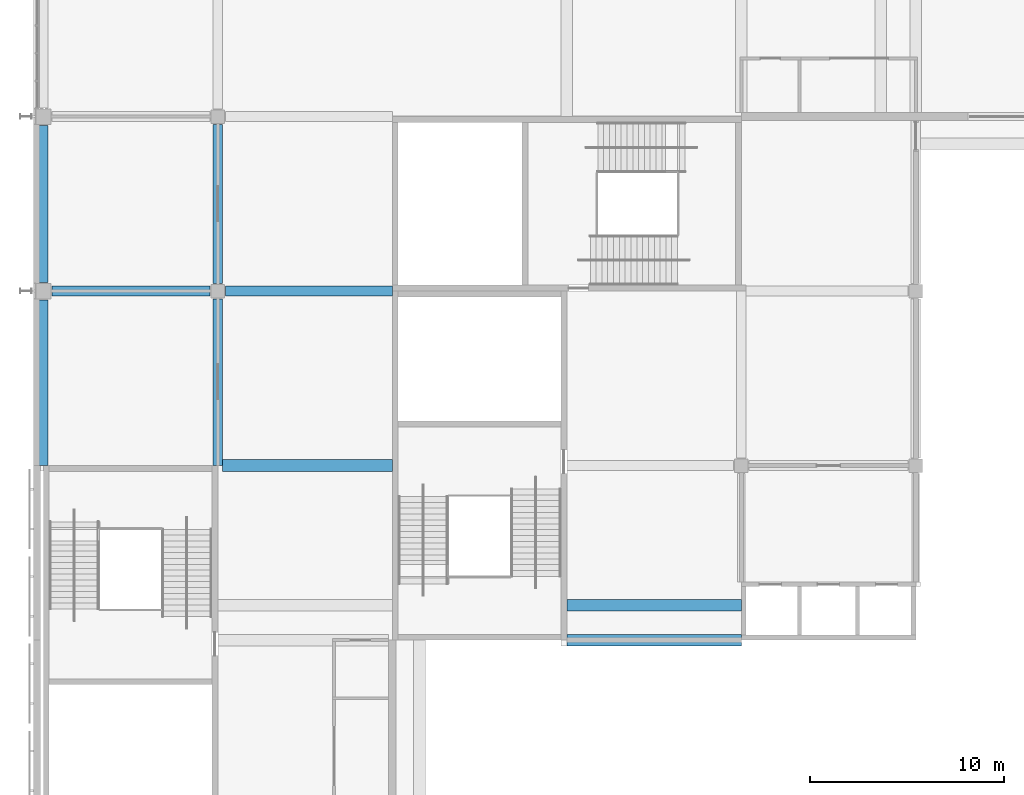
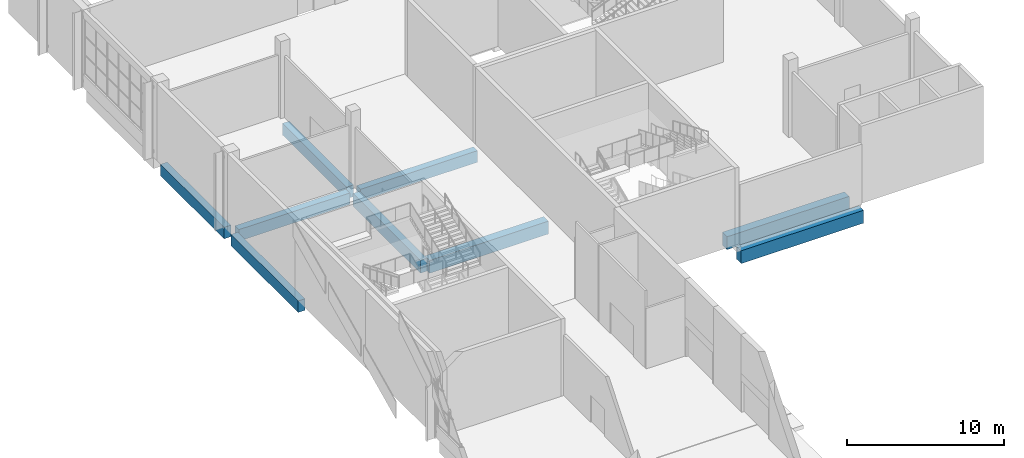
# One storey, part 16 of 89: 9 beams.
"""IFC4 building model written with IfcOpenShell, lengths in metres."""

from ifc_helpers import new_model, si_unit, direction, frame, origin, origin_2d, place, context, subcontext, project, spatial, rectangle, extrude, material, material_profile, profile_set, type_object, element, save


model = new_model("IFC4")

# Units and contexts
model_context = context("Model", 3, precision=1e-05, world=origin(), true_north=direction((0.0, 1.0)))
body_context = subcontext(model_context, "Body", "Model", "MODEL_VIEW")
ifc_project = project(units=[si_unit("LENGTHUNIT", "METRE"), si_unit("AREAUNIT", "SQUARE_METRE"), si_unit("VOLUMEUNIT", "CUBIC_METRE"), si_unit("PLANEANGLEUNIT", "RADIAN"), si_unit("MASSUNIT", "GRAM", prefix="KILO")], contexts=[model_context])

# Site, building, storey
site_placement = place(None, origin())
site = spatial("IfcSite", under=ifc_project, at=site_placement, CompositionType="ELEMENT")
building_placement = place(site_placement, origin())
building = spatial("IfcBuilding", under=site, at=building_placement, Name="Silverbay Arena", CompositionType="ELEMENT")
storey_placement = place(building_placement, frame((0.0, 0.0, 22.0)))
storey = spatial("IfcBuildingStorey", under=building, at=storey_placement, Name="L03", CompositionType="ELEMENT", Elevation=22.0)

# Beams
ifc_material_1 = material(Name="Concrete Grade C45", Category="concrete")
ifc_material_profile_1 = material_profile(ifc_material_1, rectangle(XDim=0.5, YDim=1.0, at=origin_2d()), Name="RC 500x1000")
ifc_profile_set_1 = profile_set([ifc_material_profile_1], Name="Concrete Grade C45")
beam_type_1 = type_object("IfcBeamType", Name="RC beam 500x1000", PredefinedType="BEAM", material=ifc_profile_set_1)
beam_1_placement = place(storey_placement, frame((63.0, 108.0, -0.85009765625), z_axis=(0.0, 1.0, 0.0), x_axis=(-1.0, 0.0, 0.0)))
element("IfcBeam", 1, at=beam_1_placement, inside=storey, type_object=beam_type_1, Name="Floor beam L03 096", PredefinedType="BEAM", context=body_context, shape_type="SweptSolid", body=[
    extrude(rectangle(XDim=0.5, YDim=1.0, at=origin_2d()), origin(), (0.0, 0.0, 1.0), 8.60009765625),
])
ifc_material_2 = material(Name="Concrete Grade C45", Category="concrete")
ifc_material_profile_2 = material_profile(ifc_material_2, rectangle(XDim=0.5, YDim=0.89990234375, at=origin_2d()), Name="RC 500x900")
ifc_profile_set_2 = profile_set([ifc_material_profile_2], Name="Concrete Grade C45")
beam_type_2 = type_object("IfcBeamType", Name="RC beam 500x900", PredefinedType="BEAM", material=ifc_profile_set_2)
beam_2_placement = place(storey_placement, frame((54.449951171875, 117.0, -0.800048828125), z_axis=(1.0, 0.0, 0.0), x_axis=(0.0, 1.0, 0.0)))
element("IfcBeam", 2, at=beam_2_placement, inside=storey, type_object=beam_type_2, Name="Floor beam L03 063", PredefinedType="BEAM", context=body_context, shape_type="SweptSolid", body=[
    extrude(rectangle(XDim=0.5, YDim=0.89990234375, at=origin_2d()), origin(), (0.0, 0.0, 1.0), 8.150146484375),
])
beam_3_placement = place(storey_placement, frame((63.39990234375, 117.0, -0.800048828125), z_axis=(1.0, 0.0, 0.0), x_axis=(0.0, 1.0, 0.0)))
element("IfcBeam", 3, at=beam_3_placement, inside=storey, type_object=beam_type_2, Name="Floor beam L03 064", PredefinedType="BEAM", context=body_context, shape_type="SweptSolid", body=[
    extrude(rectangle(XDim=0.5, YDim=0.89990234375, at=origin_2d()), origin(), (0.0, 0.0, 1.0), 8.60009765625),
])
beam_4_placement = place(storey_placement, frame((54.0, 108.0, -0.800048828125), z_axis=(0.0, 1.0, 0.0), x_axis=(-1.0, 0.0, 0.0)))
element("IfcBeam", 4, at=beam_4_placement, inside=storey, type_object=beam_type_2, Name="Floor beam L03 088", PredefinedType="BEAM", context=body_context, shape_type="SweptSolid", body=[
    extrude(rectangle(XDim=0.5, YDim=0.89990234375, at=origin_2d()), origin(), (0.0, 0.0, 1.0), 8.550048828125),
])
beam_5_placement = place(storey_placement, frame((54.0, 117.449951171875, -0.800048828125), z_axis=(0.0, 1.0, 0.0), x_axis=(-1.0, 0.0, 0.0)))
element("IfcBeam", 5, at=beam_5_placement, inside=storey, type_object=beam_type_2, Name="Floor beam L03 089", PredefinedType="BEAM", context=body_context, shape_type="SweptSolid", body=[
    extrude(rectangle(XDim=0.5, YDim=0.89990234375, at=origin_2d()), origin(), (0.0, 0.0, 1.0), 8.10009765625),
])
beam_6_placement = place(storey_placement, frame((63.0, 117.39990234375, -0.800048828125), z_axis=(0.0, 1.0, 0.0), x_axis=(-1.0, 0.0, 0.0)))
element("IfcBeam", 6, at=beam_6_placement, inside=storey, type_object=beam_type_2, Name="Floor beam L03 097", PredefinedType="BEAM", context=body_context, shape_type="SweptSolid", body=[
    extrude(rectangle(XDim=0.5, YDim=0.89990234375, at=origin_2d()), origin(), (0.0, 0.0, 1.0), 8.2001953125),
])
ifc_material_3 = material(Name="Concrete Grade C45", Category="concrete")
ifc_material_profile_3 = material_profile(ifc_material_3, rectangle(XDim=0.60009765625, YDim=1.0, at=origin_2d()), Name="RC 600x1000")
ifc_profile_set_3 = profile_set([ifc_material_profile_3], Name="Concrete Grade C45")
beam_type_3 = type_object("IfcBeamType", Name="RC beam 600x1000", PredefinedType="BEAM", material=ifc_profile_set_3)
for number, where, z_axis, x_axis, name in (
    (7, (81.0, 99.0, -0.85009765625), (1.0, 0.0, 0.0), (0.0, 1.0, 0.0), "Floor beam L03 050"),
    (8, (81.0, 100.800048828125, -0.85009765625), (1.0, 0.0, 0.0), (0.0, 1.0, 0.0), "Floor beam L03 054"),
):
    element("IfcBeam", number, at=place(storey_placement, frame(where, z_axis=z_axis, x_axis=x_axis)), inside=storey, type_object=beam_type_3, Name=name, PredefinedType="BEAM", context=body_context, shape_type="SweptSolid", body=[
        extrude(rectangle(XDim=0.60009765625, YDim=1.0, at=origin_2d()), origin(), (0.0, 0.0, 1.0), 9.0),
    ])
beam_7_placement = place(storey_placement, frame((63.25, 108.0, -0.85009765625), z_axis=(1.0, 0.0, 0.0), x_axis=(0.0, 1.0, 0.0)))
element("IfcBeam", 9, at=beam_7_placement, inside=storey, type_object=beam_type_3, Name="Floor beam L03 057", PredefinedType="BEAM", context=body_context, shape_type="SweptSolid", body=[
    extrude(rectangle(XDim=0.60009765625, YDim=1.0, at=origin_2d()), origin(), (0.0, 0.0, 1.0), 8.75),
])

save(model, "model.ifc")
